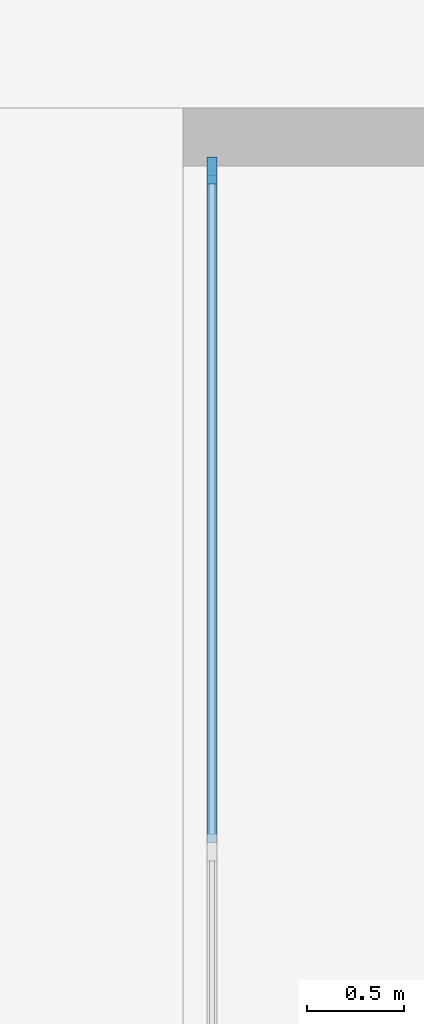
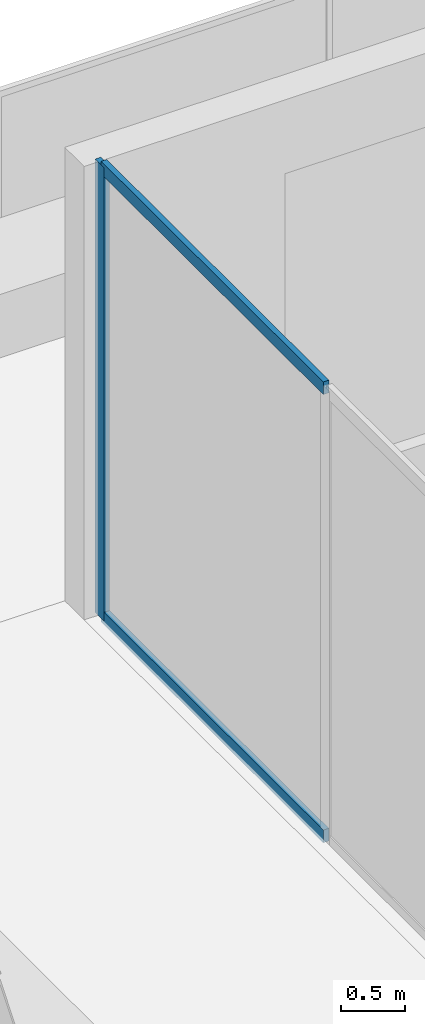
# One storey, part 6 of 22: 3 members, 1 element without a shape of its own.
"""IFC4 building model written with IfcOpenShell, lengths in metres."""

from ifc_helpers import new_model, si_unit, direction, frame, origin, origin_2d, place, context, subcontext, project, spatial, rectangle, extrude, material, material_profile, profile_set, type_object, element, aggregate, save


model = new_model("IFC4")

# Units and contexts
model_context = context("Model", 3, precision=1e-05, world=origin(), true_north=direction((0.0, 1.0)))
body_context = subcontext(model_context, "Body", "Model", "MODEL_VIEW")
ifc_project = project(units=[si_unit("LENGTHUNIT", "METRE"), si_unit("AREAUNIT", "SQUARE_METRE"), si_unit("VOLUMEUNIT", "CUBIC_METRE"), si_unit("PLANEANGLEUNIT", "RADIAN"), si_unit("MASSUNIT", "GRAM", prefix="KILO")], contexts=[model_context])

# Site, building, storey
site_placement = place(None, origin())
site = spatial("IfcSite", under=ifc_project, at=site_placement, CompositionType="ELEMENT")
building_placement = place(site_placement, origin())
building = spatial("IfcBuilding", under=site, at=building_placement, Name="Khepri Terraces", CompositionType="ELEMENT")
storey_placement = place(building_placement, frame((0.0, 0.0, 22.199951171875)))
storey = spatial("IfcBuildingStorey", under=building, at=storey_placement, Name="L04", CompositionType="ELEMENT", Elevation=22.199951171875)

# Curtain wall, members
ifc_material_1 = material(Name="Anodised aluminium bronze curtain wall", Category="aluminium")
curtain_wall_type = type_object("IfcCurtainWallType", Name="CW-SYS6-LOUNGE", PredefinedType="NOTDEFINED", material=ifc_material_1)
curtain_wall_placement = place(storey_placement, origin())
curtain_wall = element("IfcCurtainWall", 1, at=curtain_wall_placement, inside=storey, type_object=curtain_wall_type, Name="Curtain wall CW6 L04 W", PredefinedType="NOTDEFINED")
ifc_material_2 = material(Name="Anodised aluminium bronze", Category="aluminium")
ifc_material_profile_1 = material_profile(ifc_material_2, rectangle(XDim=0.050048828125, YDim=0.139892578125, at=origin_2d()), Name="Anodised aluminium bronze", Category="aluminium")
ifc_profile_set_1 = profile_set([ifc_material_profile_1], Name="Anodised aluminium bronze")
member_type_1 = type_object("IfcMemberType", Name="CW-MULLION-50x140", PredefinedType="MULLION", material=ifc_profile_set_1)
member_1_placement = place(storey_placement, frame((-29.85009765625, 29.675048828125, 0.0), z_axis=(0.0, 0.0, 1.0), x_axis=(1.0, 0.0, 0.0)))
member_1 = element("IfcMember", 2, at=member_1_placement, type_object=member_type_1, Name="CW6 mullion 1", PredefinedType="MULLION", context=body_context, shape_type="SweptSolid", body=[
    extrude(rectangle(XDim=0.050048828125, YDim=0.139892578125, at=origin_2d()), origin(), (0.0, 0.0, 1.0), 4.300048828125),
])
ifc_material_profile_2 = material_profile(ifc_material_2, rectangle(XDim=0.050048828125, YDim=0.1201171875, at=origin_2d()), Name="Anodised aluminium bronze", Category="aluminium")
ifc_profile_set_2 = profile_set([ifc_material_profile_2], Name="Anodised aluminium bronze")
member_type_2 = type_object("IfcMemberType", Name="CW-TRANSOM-50x120", PredefinedType="USERDEFINED", material=ifc_profile_set_2)
member_2_placement = place(storey_placement, frame((-29.85009765625, 29.64990234375, 0.025146484375), z_axis=(0.0, -1.0, 0.0), x_axis=(1.0, 0.0, 0.0)))
member_2 = element("IfcMember", 3, at=member_2_placement, type_object=member_type_2, Name="CW6 transom 1.1", ObjectType="TRANSOM", PredefinedType="USERDEFINED", context=body_context, shape_type="SweptSolid", body=[
    extrude(rectangle(XDim=0.050048828125, YDim=0.1201171875, at=origin_2d()), origin(), (0.0, 0.0, 1.0), 3.449951171875),
])
member_3_placement = place(storey_placement, frame((-29.85009765625, 29.64990234375, 4.275146484375), z_axis=(0.0, -1.0, 0.0), x_axis=(1.0, 0.0, 0.0)))
member_3 = element("IfcMember", 4, at=member_3_placement, type_object=member_type_2, Name="CW6 transom 1.2", ObjectType="TRANSOM", PredefinedType="USERDEFINED", context=body_context, shape_type="SweptSolid", body=[
    extrude(rectangle(XDim=0.050048828125, YDim=0.1201171875, at=origin_2d()), origin(), (0.0, 0.0, 1.0), 3.449951171875),
])
aggregate(curtain_wall, [member_1, member_2, member_3])

save(model, "model.ifc")
